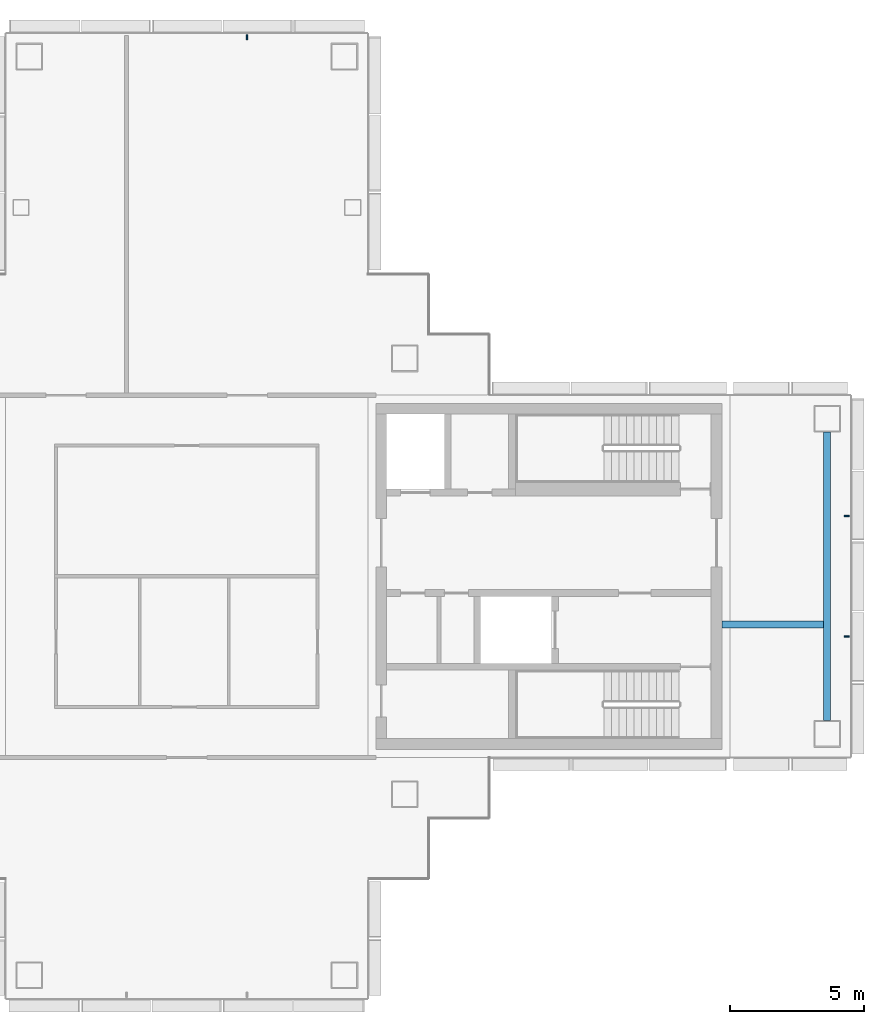
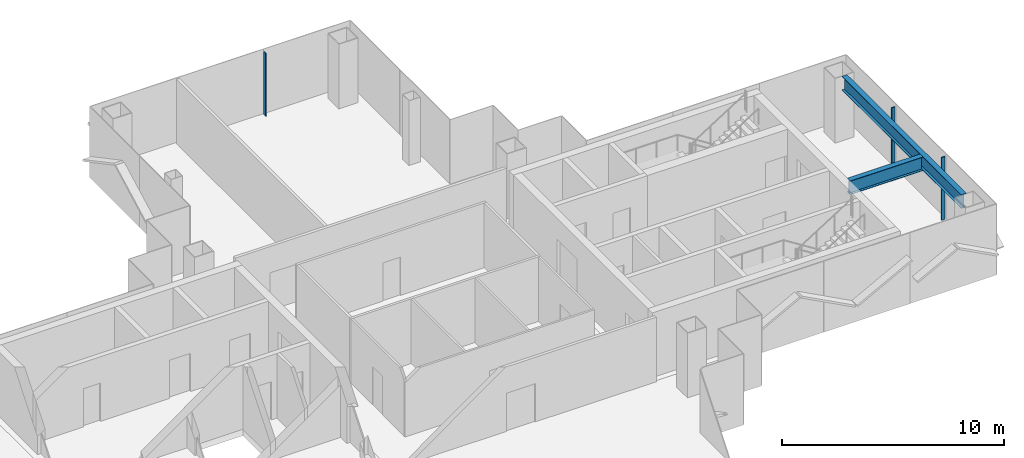
# One storey, part 6 of 17: 3 members, 2 beams, 2 elements without a shape of their own.
"""IFC4 building model written with IfcOpenShell, lengths in metres."""

from ifc_helpers import new_model, si_unit, direction, frame, origin, origin_2d, place, context, subcontext, project, spatial, rectangle, i_section, extrude, material, layer, layer_set, material_profile, profile_set, type_object, element, aggregate, save


model = new_model("IFC4")

# Units and contexts
model_context = context("Model", 3, precision=1e-05, world=origin(), true_north=direction((0.0, 1.0)))
body_context = subcontext(model_context, "Body", "Model", "MODEL_VIEW")
ifc_project = project(units=[si_unit("LENGTHUNIT", "METRE"), si_unit("AREAUNIT", "SQUARE_METRE"), si_unit("VOLUMEUNIT", "CUBIC_METRE"), si_unit("PLANEANGLEUNIT", "RADIAN"), si_unit("MASSUNIT", "GRAM", prefix="KILO")], contexts=[model_context])

# Site, building, storey
site_placement = place(None, origin())
site = spatial("IfcSite", under=ifc_project, at=site_placement, CompositionType="ELEMENT")
building_placement = place(site_placement, origin())
building = spatial("IfcBuilding", under=site, at=building_placement, Name="Shamsa Quay Exchange Towers", CompositionType="ELEMENT")
storey_placement = place(building_placement, frame((0.0, 0.0, 217.800048828125)))
storey = spatial("IfcBuildingStorey", under=building, at=storey_placement, Name="L52", CompositionType="ELEMENT", Elevation=217.800048828125)

# Curtain wall, members
ifc_material_1 = material(Name="Aluminium EN AW-6063 T6, black anodised", Category="aluminium")
ifc_layer = layer(ifc_material_1, 0.280029296875)
ifc_layer_set = layer_set([ifc_layer], Name="CW-1 UNITISED VISION GLASS")
curtain_wall_type = type_object("IfcCurtainWallType", Name="CW-1 UNITISED VISION GLASS", PredefinedType="NOTDEFINED", material=ifc_layer_set)
curtain_wall_1_placement = place(storey_placement, origin())
curtain_wall_1 = element("IfcCurtainWall", 1, at=curtain_wall_1_placement, inside=storey, type_object=curtain_wall_type, Name="CW1 T2-END-V- L52", PredefinedType="NOTDEFINED")
ifc_material_profile_1 = material_profile(ifc_material_1, rectangle(XDim=0.179931640625, YDim=0.06005859375, at=origin_2d()), Name="MU60x180")
ifc_profile_set_1 = profile_set([ifc_material_profile_1], Name="Aluminium EN AW-6063 T6, black anodised")
member_type = type_object("IfcMemberType", Name="CW1 MULLION 60x180", PredefinedType="MULLION", material=ifc_profile_set_1)
member_1_placement = place(storey_placement, frame((58.35009765625, -2.25, 0.0), z_axis=(0.0, 0.0, 1.0), x_axis=(-1.0, 0.0, 0.0)))
member_1 = element("IfcMember", 2, at=member_1_placement, type_object=member_type, Name="CW1 mullion", PredefinedType="MULLION", context=body_context, shape_type="SweptSolid", body=[
    extrude(rectangle(XDim=0.179931640625, YDim=0.06005859375, at=origin_2d()), origin(), (0.0, 0.0, 1.0), 3.449951171875),
])
member_2_placement = place(storey_placement, frame((58.35009765625, 2.25, 0.0), z_axis=(0.0, 0.0, 1.0), x_axis=(-1.0, 0.0, 0.0)))
member_2 = element("IfcMember", 3, at=member_2_placement, type_object=member_type, Name="CW1 mullion", PredefinedType="MULLION", context=body_context, shape_type="SweptSolid", body=[
    extrude(rectangle(XDim=0.179931640625, YDim=0.06005859375, at=origin_2d()), origin(), (0.0, 0.0, 1.0), 3.449951171875),
])
aggregate(curtain_wall_1, [member_1, member_2])

# Curtain wall, member
curtain_wall_2_placement = place(storey_placement, origin())
curtain_wall_2 = element("IfcCurtainWall", 4, at=curtain_wall_2_placement, inside=storey, type_object=curtain_wall_type, Name="CW1 T2-END-U+ L52", PredefinedType="NOTDEFINED")
member_3_placement = place(storey_placement, frame((36.0, 20.10009765625, 0.0), z_axis=(0.0, 0.0, 1.0), x_axis=(0.0, -1.0, 0.0)))
member_3 = element("IfcMember", 5, at=member_3_placement, type_object=member_type, Name="CW1 mullion", PredefinedType="MULLION", context=body_context, shape_type="SweptSolid", body=[
    extrude(rectangle(XDim=0.179931640625, YDim=0.06005859375, at=origin_2d()), origin(), (0.0, 0.0, 1.0), 3.449951171875),
])
aggregate(curtain_wall_2, [member_3])

# Beams
ifc_material_2 = material(Name="Steel S355", Category="steel")
ifc_material_profile_2 = material_profile(ifc_material_2, i_section(OverallWidth=0.26611328125, OverallDepth=0.7578125, WebThickness=0.013916015625, FlangeThickness=0.019287109375, at=origin_2d()), Name="W30x108")
ifc_profile_set_2 = profile_set([ifc_material_profile_2], Name="Steel S355")
beam_type = type_object("IfcBeamType", Name="End-zone beam W30x108", PredefinedType="BEAM", material=ifc_profile_set_2)
beam_1_placement = place(storey_placement, frame((57.625, -5.375, 3.171142578125), z_axis=(0.0, 1.0, 0.0), x_axis=(-1.0, 0.0, 0.0)))
element("IfcBeam", 6, at=beam_1_placement, inside=storey, type_object=beam_type, Name="End beam T2 V- end zone L52", PredefinedType="BEAM", context=body_context, shape_type="SweptSolid", body=[
    extrude(i_section(OverallWidth=0.26611328125, OverallDepth=0.7578125, WebThickness=0.013916015625, FlangeThickness=0.019287109375, at=origin_2d()), origin(), (0.0, 0.0, 1.0), 10.75),
])
beam_2_placement = place(storey_placement, frame((53.699951171875, -1.800048828125, 3.171142578125), z_axis=(1.0, 0.0, 0.0), x_axis=(0.0, 1.0, 0.0)))
element("IfcBeam", 7, at=beam_2_placement, inside=storey, type_object=beam_type, Name="Spine beam T2 V- end zone L52", PredefinedType="BEAM", context=body_context, shape_type="SweptSolid", body=[
    extrude(i_section(OverallWidth=0.26611328125, OverallDepth=0.7578125, WebThickness=0.013916015625, FlangeThickness=0.019287109375, at=origin_2d()), origin(), (0.0, 0.0, 1.0), 3.7919921875),
])

save(model, "model.ifc")
